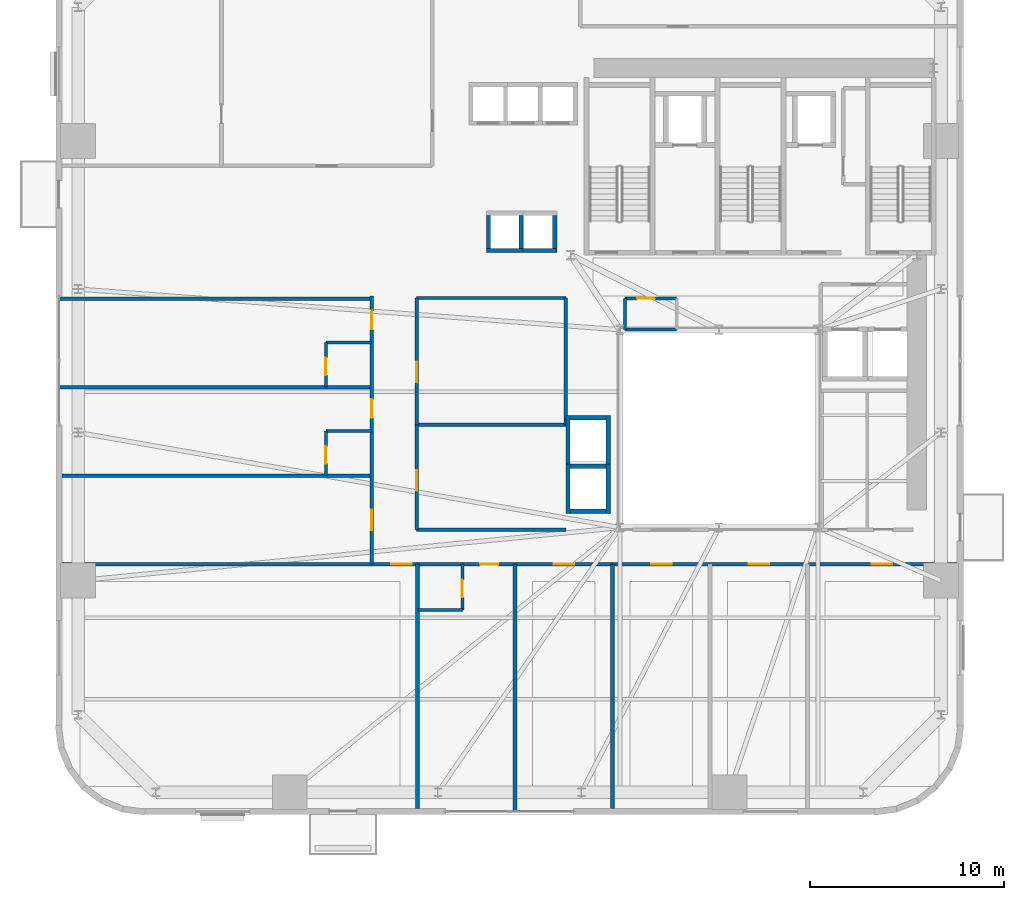
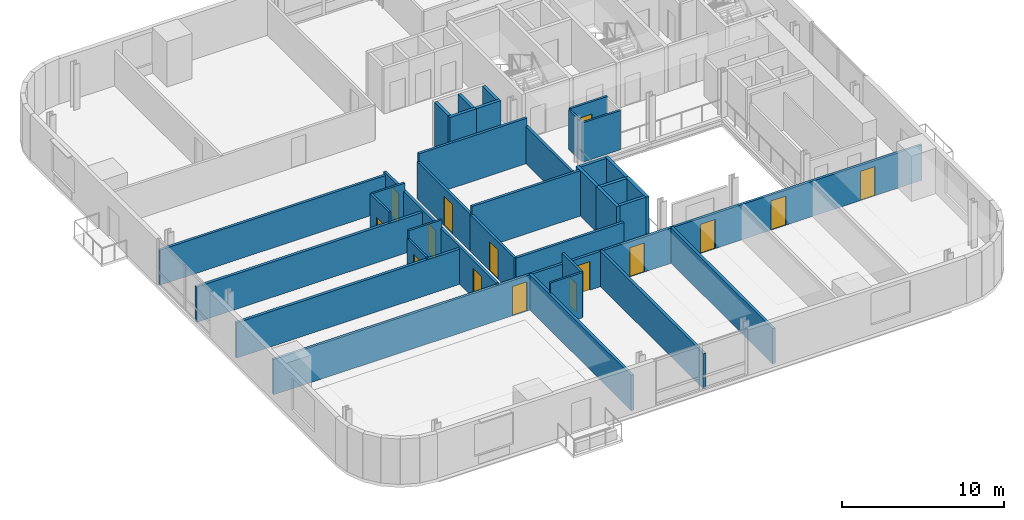
# One storey, part 6 of 11: 35 walls, 15 doors, 15 openings.
"""IFC4 building model written with IfcOpenShell, lengths in metres."""

from ifc_helpers import new_model, si_unit, direction, frame, frame_2d, origin, place, context, subcontext, project, spatial, rectangle, extrude, source, transform, mapped, material, layer, layer_set, type_object, element, fill, save


model = new_model("IFC4")

# Units and contexts
model_context = context("Model", 3, precision=1e-05, world=origin(), true_north=direction((0.0, 1.0)))
body_context = subcontext(model_context, "Body", "Model", "MODEL_VIEW")
ifc_project = project(units=[si_unit("LENGTHUNIT", "METRE"), si_unit("AREAUNIT", "SQUARE_METRE"), si_unit("VOLUMEUNIT", "CUBIC_METRE"), si_unit("PLANEANGLEUNIT", "RADIAN"), si_unit("MASSUNIT", "GRAM", prefix="KILO")], contexts=[model_context])

# Site, building, storey
site_placement = place(None, origin())
site = spatial("IfcSite", under=ifc_project, at=site_placement, CompositionType="ELEMENT")
building_placement = place(site_placement, origin())
building = spatial("IfcBuilding", under=site, at=building_placement, Name="Vardaveli Station Tower", CompositionType="ELEMENT")
storey_placement = place(building_placement, frame((0.0, 0.0, 42.199951171875)))
storey = spatial("IfcBuildingStorey", under=building, at=storey_placement, Name="L10", CompositionType="ELEMENT", Elevation=42.199951171875)

# Walls
ifc_material_1 = material(Name="Concrete C40/50", Category="concrete")
ifc_layer_1 = layer(ifc_material_1, 0.219970703125, Name="Concrete C40/50")
ifc_layer_set_1 = layer_set([ifc_layer_1], Name="Concrete C40/50")
wall_type_1 = type_object("IfcWallType", Name="WAL-FFLOBBY-220", PredefinedType="SOLIDWALL", material=ifc_layer_set_1)
shared_shape_1 = source(origin(), body_context, "Body", "SweptSolid", [
    extrude(rectangle(XDim=1.89013671875, YDim=0.219970703125, at=frame_2d((0.945068359375, 0.0))), origin(), (0.0, 0.0, 1.0), 3.41015625),
])
for number, where, z_axis, x_axis, name in (
    (1, (24.304931640625, 30.889892578125, 0.0), (0.0, 0.0, 1.0), (1.0, 0.0, 0.0), "SHW-SHU-01-L10-S"),
    (2, (26.054931640625, 30.889892578125, 0.0), (0.0, 0.0, 1.0), (1.0, 0.0, 0.0), "SHW-SHU-02-L10-S"),
):
    element("IfcWall", number, at=place(storey_placement, frame(where, z_axis=z_axis, x_axis=x_axis)), inside=storey, type_object=wall_type_1, Name=name, PredefinedType="SOLIDWALL", context=body_context, shape_type="MappedRepresentation", body=[
        mapped(shared_shape_1, transform((0.0, 0.0, 0.0), scale=1.0)),
    ])
shared_shape_2 = source(origin(), body_context, "Body", "SweptSolid", [
    extrude(rectangle(XDim=1.699951171875, YDim=0.219970703125, at=frame_2d((0.85009765625, 0.0))), origin(), (0.0, 0.0, 1.0), 3.41015625),
])
for number, where, z_axis, x_axis, name in (
    (3, (24.4150390625, 31.0, 0.0), (0.0, 0.0, 1.0), (0.0, 1.0, 0.0), "SHW-SHU-01-L10-W"),
    (4, (26.0849609375, 31.0, 0.0), (0.0, 0.0, 1.0), (0.0, 1.0, 0.0), "SHW-SHU-01-L10-E"),
    (5, (27.8349609375, 31.0, 0.0), (0.0, 0.0, 1.0), (0.0, 1.0, 0.0), "SHW-SHU-02-L10-E"),
):
    element("IfcWall", number, at=place(storey_placement, frame(where, z_axis=z_axis, x_axis=x_axis)), inside=storey, type_object=wall_type_1, Name=name, PredefinedType="SOLIDWALL", context=body_context, shape_type="MappedRepresentation", body=[
        mapped(shared_shape_2, transform((0.0, 0.0, 0.0), scale=1.0)),
    ])
shared_shape_3 = source(origin(), body_context, "Body", "SweptSolid", [
    extrude(rectangle(XDim=1.85009765625, YDim=0.219970703125, at=frame_2d((0.925048828125, 0.0))), origin(), (0.0, 0.0, 1.0), 3.41015625),
])
for number, where, z_axis, x_axis, name in (
    (6, (28.625, 17.43994140625, 0.0), (0.0, 0.0, 1.0), (1.0, 0.0, 0.0), "SHW-OBS-01-L10-S"),
    (7, (28.625, 19.760009765625, 0.0), (0.0, 0.0, 1.0), (1.0, 0.0, 0.0), "SHW-OBS-01-L10-N"),
    (8, (28.625, 22.260009765625, 0.0), (0.0, 0.0, 1.0), (1.0, 0.0, 0.0), "SHW-OBS-02-L10-N"),
):
    element("IfcWall", number, at=place(storey_placement, frame(where, z_axis=z_axis, x_axis=x_axis)), inside=storey, type_object=wall_type_1, Name=name, PredefinedType="SOLIDWALL", context=body_context, shape_type="MappedRepresentation", body=[
        mapped(shared_shape_3, transform((0.0, 0.0, 0.0), scale=1.0)),
    ])
shared_shape_4 = source(origin(), body_context, "Body", "SweptSolid", [
    extrude(rectangle(XDim=2.5400390625, YDim=0.219970703125, at=frame_2d((1.27001953125, 0.0))), origin(), (0.0, 0.0, 1.0), 3.41015625),
])
for number, where, z_axis, x_axis, name in (
    (9, (28.514892578125, 17.330078125, 0.0), (0.0, 0.0, 1.0), (0.0, 1.0, 0.0), "SHW-OBS-01-L10-W"),
    (10, (30.5849609375, 17.330078125, 0.0), (0.0, 0.0, 1.0), (0.0, 1.0, 0.0), "SHW-OBS-01-L10-E"),
    (11, (28.514892578125, 19.830078125, 0.0), (0.0, 0.0, 1.0), (0.0, 1.0, 0.0), "SHW-OBS-02-L10-W"),
    (12, (30.5849609375, 19.830078125, 0.0), (0.0, 0.0, 1.0), (0.0, 1.0, 0.0), "SHW-OBS-02-L10-E"),
):
    element("IfcWall", number, at=place(storey_placement, frame(where, z_axis=z_axis, x_axis=x_axis)), inside=storey, type_object=wall_type_1, Name=name, PredefinedType="SOLIDWALL", context=body_context, shape_type="MappedRepresentation", body=[
        mapped(shared_shape_4, transform((0.0, 0.0, 0.0), scale=1.0)),
    ])

# Wall, opening, door
ifc_material_2 = material(Name="Moisture-resistant stud partition")
ifc_layer_2 = layer(ifc_material_2, 0.14990234375, Name="Moisture-resistant stud partition")
ifc_layer_set_2 = layer_set([ifc_layer_2], Name="Moisture-resistant stud partition")
wall_type_2 = type_object("IfcWallType", Name="WAL-WET-150", PredefinedType="PARTITIONING", material=ifc_layer_set_2)
shared_shape_5 = source(origin(), body_context, "Body", "SweptSolid", [
    extrude(rectangle(XDim=2.2900390625, YDim=0.14990234375, at=frame_2d((1.14501953125, 0.0))), origin(), (0.0, 0.0, 1.0), 2.802001953125),
])
wall_1_placement = place(storey_placement, frame((16.030029296875, 19.29296875, 0.0), z_axis=(0.0, 0.0, 1.0), x_axis=(0.0, 1.0, 0.0)))
wall_1 = element("IfcWall", 13, at=wall_1_placement, inside=storey, type_object=wall_type_2, Name="W-L10-BW2-W", PredefinedType="PARTITIONING", context=body_context, shape_type="MappedRepresentation", body=[
    mapped(shared_shape_5, transform((0.0, 0.0, 0.0), scale=1.0)),
])
shared_shape_6 = source(origin(), body_context, "Body", "SweptSolid", [
    extrude(rectangle(XDim=0.89990234375, YDim=2.10009765625, at=frame_2d((0.449951171875, 1.050048828125))), frame((0.0, 0.0849609375, 0.0), z_axis=(0.0, -1.0, 0.0), x_axis=(1.0, 0.0, 0.0)), (0.0, 0.0, 1.0), 0.169921875),
])
opening_1_placement = place(wall_1_placement, frame((0.60009765625, 0.0, 0.0)))
opening_1 = element("IfcOpeningElement", 14, at=opening_1_placement, cuts=wall_1, Name="Opening D-08", PredefinedType="OPENING", context=body_context, shape_type="MappedRepresentation", body=[
    mapped(shared_shape_6, transform((0.0, 0.0, 0.0), scale=1.0)),
])
ifc_material_3 = material(Name="Moisture-resistant oak door")
door_type_1 = type_object("IfcDoorType", Name="DR-BATH-900x2100", OperationType="NOTDEFINED", PredefinedType="DOOR", material=ifc_material_3)
shared_shape_7 = source(origin(), body_context, "Body", "SweptSolid", [
    extrude(rectangle(XDim=0.89990234375, YDim=2.10009765625, at=frame_2d((0.449951171875, 1.050048828125))), frame((0.0, 0.02490234375, 0.0), z_axis=(0.0, -1.0, 0.0), x_axis=(1.0, 0.0, 0.0)), (0.0, 0.0, 1.0), 0.050048828125),
])
door_1_placement = place(opening_1_placement, origin())
door_1 = element("IfcDoor", 15, at=door_1_placement, inside=storey, type_object=door_type_1, Name="D-L10-BW2", OperationType="SINGLE_SWING_RIGHT", OverallHeight=2.10009765625, OverallWidth=0.89990234375, PredefinedType="DOOR", context=body_context, shape_type="MappedRepresentation", body=[
    mapped(shared_shape_7, transform((0.0, 0.0, 0.0), scale=1.0)),
])
fill(opening_1, door_1)

# Wall, openings, doors
ifc_material_4 = material(Name="Fire-rated gypsum stud partition")
ifc_layer_3 = layer(ifc_material_4, 0.179931640625, Name="Fire-rated gypsum stud partition")
ifc_layer_set_3 = layer_set([ifc_layer_3], Name="Fire-rated gypsum stud partition")
wall_type_3 = type_object("IfcWallType", Name="WAL-CORR-180", PredefinedType="PARTITIONING", material=ifc_layer_set_3)
shared_shape_8 = source(origin(), body_context, "Body", "SweptSolid", [
    extrude(rectangle(XDim=46.15576171875, YDim=0.179931640625, at=frame_2d((23.077880859375, 0.0))), origin(), (0.0, 0.0, 1.0), 2.652099609375),
])
wall_2_placement = place(storey_placement, frame((2.422119140625, 14.7099609375, 0.0), z_axis=(0.0, 0.0, 1.0), x_axis=(1.0, 0.0, 0.0)))
wall_2 = element("IfcWall", 16, at=wall_2_placement, inside=storey, type_object=wall_type_3, Name="W-L10-CS", PredefinedType="PARTITIONING", context=body_context, shape_type="MappedRepresentation", body=[
    mapped(shared_shape_8, transform((0.0, 0.0, 0.0), scale=1.0)),
])
shared_shape_9 = source(origin(), body_context, "Body", "SweptSolid", [
    extrude(rectangle(XDim=1.050048828125, YDim=2.199951171875, at=frame_2d((0.52490234375, 1.10009765625))), frame((0.0, 0.10009765625, 0.0), z_axis=(0.0, -1.0, 0.0), x_axis=(1.0, 0.0, 0.0)), (0.0, 0.0, 1.0), 0.199951171875),
])
opening_2_placement = place(wall_2_placement, frame((16.988037109375, 0.0, 0.0)))
opening_2 = element("IfcOpeningElement", 17, at=opening_2_placement, cuts=wall_2, Name="Opening D-05", PredefinedType="OPENING", context=body_context, shape_type="MappedRepresentation", body=[
    mapped(shared_shape_9, transform((0.0, 0.0, 0.0), scale=1.0)),
])
shared_shape_10 = source(origin(), body_context, "Body", "SweptSolid", [
    extrude(rectangle(XDim=0.949951171875, YDim=2.14990234375, at=frame_2d((0.47509765625, 1.074951171875))), frame((0.0, 0.10009765625, 0.0), z_axis=(0.0, -1.0, 0.0), x_axis=(1.0, 0.0, 0.0)), (0.0, 0.0, 1.0), 0.199951171875),
])
opening_3_placement = place(wall_2_placement, frame((21.556396484375, 0.0, 0.0)))
opening_3 = element("IfcOpeningElement", 18, at=opening_3_placement, cuts=wall_2, Name="Opening D-06", PredefinedType="OPENING", context=body_context, shape_type="MappedRepresentation", body=[
    mapped(shared_shape_10, transform((0.0, 0.0, 0.0), scale=1.0)),
])
opening_4_placement = place(wall_2_placement, frame((25.35791015625, 0.0, 0.0)))
opening_4 = element("IfcOpeningElement", 19, at=opening_4_placement, cuts=wall_2, Name="Opening D-05", PredefinedType="OPENING", context=body_context, shape_type="MappedRepresentation", body=[
    mapped(shared_shape_9, transform((0.0, 0.0, 0.0), scale=1.0)),
])
opening_5_placement = place(wall_2_placement, frame((30.384521484375, 0.0, 0.0)))
opening_5 = element("IfcOpeningElement", 20, at=opening_5_placement, cuts=wall_2, Name="Opening D-05", PredefinedType="OPENING", context=body_context, shape_type="MappedRepresentation", body=[
    mapped(shared_shape_9, transform((0.0, 0.0, 0.0), scale=1.0)),
])
opening_6_placement = place(wall_2_placement, frame((35.411376953125, 0.0, 0.0)))
opening_6 = element("IfcOpeningElement", 21, at=opening_6_placement, cuts=wall_2, Name="Opening D-05", PredefinedType="OPENING", context=body_context, shape_type="MappedRepresentation", body=[
    mapped(shared_shape_9, transform((0.0, 0.0, 0.0), scale=1.0)),
])
opening_7_placement = place(wall_2_placement, frame((41.766357421875, 0.0, 0.0)))
opening_7 = element("IfcOpeningElement", 22, at=opening_7_placement, cuts=wall_2, Name="Opening D-05", PredefinedType="OPENING", context=body_context, shape_type="MappedRepresentation", body=[
    mapped(shared_shape_9, transform((0.0, 0.0, 0.0), scale=1.0)),
])
ifc_material_5 = material(Name="Walnut veneer acoustic fire door")
door_type_2 = type_object("IfcDoorType", Name="DR-SUITE-1050x2200", OperationType="NOTDEFINED", PredefinedType="DOOR", material=ifc_material_5)
shared_shape_11 = source(origin(), body_context, "Body", "SweptSolid", [
    extrude(rectangle(XDim=1.050048828125, YDim=2.199951171875, at=frame_2d((0.52490234375, 1.10009765625))), frame((0.0, 0.02490234375, 0.0), z_axis=(0.0, -1.0, 0.0), x_axis=(1.0, 0.0, 0.0)), (0.0, 0.0, 1.0), 0.050048828125),
])
door_2_placement = place(opening_2_placement, origin())
door_2 = element("IfcDoor", 23, at=door_2_placement, inside=storey, type_object=door_type_2, Name="D-L10-SA1", OperationType="SINGLE_SWING_LEFT", OverallHeight=2.199951171875, OverallWidth=1.050048828125, PredefinedType="DOOR", context=body_context, shape_type="MappedRepresentation", body=[
    mapped(shared_shape_11, transform((0.0, 0.0, 0.0), scale=1.0)),
])
fill(opening_2, door_2)
door_3_placement = place(opening_4_placement, origin())
door_3 = element("IfcDoor", 24, at=door_3_placement, inside=storey, type_object=door_type_2, Name="D-L10-SA3", OperationType="SINGLE_SWING_LEFT", OverallHeight=2.199951171875, OverallWidth=1.050048828125, PredefinedType="DOOR", context=body_context, shape_type="MappedRepresentation", body=[
    mapped(shared_shape_11, transform((0.0, 0.0, 0.0), scale=1.0)),
])
fill(opening_4, door_3)
door_4_placement = place(opening_5_placement, origin())
door_4 = element("IfcDoor", 25, at=door_4_placement, inside=storey, type_object=door_type_2, Name="D-L10-SA4", OperationType="SINGLE_SWING_RIGHT", OverallHeight=2.199951171875, OverallWidth=1.050048828125, PredefinedType="DOOR", context=body_context, shape_type="MappedRepresentation", body=[
    mapped(shared_shape_11, transform((0.0, 0.0, 0.0), scale=1.0)),
])
fill(opening_5, door_4)
door_5_placement = place(opening_6_placement, origin())
door_5 = element("IfcDoor", 26, at=door_5_placement, inside=storey, type_object=door_type_2, Name="D-L10-SA5", OperationType="SINGLE_SWING_LEFT", OverallHeight=2.199951171875, OverallWidth=1.050048828125, PredefinedType="DOOR", context=body_context, shape_type="MappedRepresentation", body=[
    mapped(shared_shape_11, transform((0.0, 0.0, 0.0), scale=1.0)),
])
fill(opening_6, door_5)
door_6_placement = place(opening_7_placement, origin())
door_6 = element("IfcDoor", 27, at=door_6_placement, inside=storey, type_object=door_type_2, Name="D-L10-SA6", OperationType="SINGLE_SWING_RIGHT", OverallHeight=2.199951171875, OverallWidth=1.050048828125, PredefinedType="DOOR", context=body_context, shape_type="MappedRepresentation", body=[
    mapped(shared_shape_11, transform((0.0, 0.0, 0.0), scale=1.0)),
])
fill(opening_7, door_6)
ifc_material_6 = material(Name="Oak veneer acoustic fire door")
door_type_3 = type_object("IfcDoorType", Name="DR-GUEST-950x2150", OperationType="NOTDEFINED", PredefinedType="DOOR", material=ifc_material_6)
shared_shape_12 = source(origin(), body_context, "Body", "SweptSolid", [
    extrude(rectangle(XDim=0.949951171875, YDim=2.14990234375, at=frame_2d((0.47509765625, 1.074951171875))), frame((0.0, 0.02490234375, 0.0), z_axis=(0.0, -1.0, 0.0), x_axis=(1.0, 0.0, 0.0)), (0.0, 0.0, 1.0), 0.050048828125),
])
door_7_placement = place(opening_3_placement, origin())
door_7 = element("IfcDoor", 28, at=door_7_placement, inside=storey, type_object=door_type_3, Name="D-L10-GS2", OperationType="SINGLE_SWING_RIGHT", OverallHeight=2.14990234375, OverallWidth=0.949951171875, PredefinedType="DOOR", context=body_context, shape_type="MappedRepresentation", body=[
    mapped(shared_shape_12, transform((0.0, 0.0, 0.0), scale=1.0)),
])
fill(opening_3, door_7)

# Wall, opening, door
shared_shape_13 = source(origin(), body_context, "Body", "SweptSolid", [
    extrude(rectangle(XDim=6.5400390625, YDim=0.179931640625, at=frame_2d((3.27001953125, 0.0))), origin(), (0.0, 0.0, 1.0), 2.802001953125),
])
wall_3_placement = place(storey_placement, frame((20.7099609375, 21.89990234375, 0.0), z_axis=(0.0, 0.0, 1.0), x_axis=(0.0, 1.0, 0.0)))
wall_3 = element("IfcWall", 29, at=wall_3_placement, inside=storey, type_object=wall_type_3, Name="W-L10-ATW2-W", PredefinedType="PARTITIONING", context=body_context, shape_type="MappedRepresentation", body=[
    mapped(shared_shape_13, transform((0.0, 0.0, 0.0), scale=1.0)),
])
opening_8_placement = place(wall_3_placement, frame((2.199951171875, 0.0, 0.0)))
opening_8 = element("IfcOpeningElement", 30, at=opening_8_placement, cuts=wall_3, Name="Opening D-05", PredefinedType="OPENING", context=body_context, shape_type="MappedRepresentation", body=[
    mapped(shared_shape_9, transform((0.0, 0.0, 0.0), scale=1.0)),
])
door_8_placement = place(opening_8_placement, origin())
door_8 = element("IfcDoor", 31, at=door_8_placement, inside=storey, type_object=door_type_2, Name="D-L10-ATW2", OperationType="SINGLE_SWING_RIGHT", OverallHeight=2.199951171875, OverallWidth=1.050048828125, PredefinedType="DOOR", context=body_context, shape_type="MappedRepresentation", body=[
    mapped(shared_shape_11, transform((0.0, 0.0, 0.0), scale=1.0)),
])
fill(opening_8, door_8)

# Wall
wall_4_placement = place(storey_placement, frame((28.39990234375, 21.89990234375, 0.0), z_axis=(0.0, 0.0, 1.0), x_axis=(0.0, 1.0, 0.0)))
element("IfcWall", 32, at=wall_4_placement, inside=storey, type_object=wall_type_3, Name="W-L10-ATW2-E", PredefinedType="PARTITIONING", context=body_context, shape_type="MappedRepresentation", body=[
    mapped(shared_shape_13, transform((0.0, 0.0, 0.0), scale=1.0)),
])

# Wall, opening, door
shared_shape_14 = source(origin(), body_context, "Body", "SweptSolid", [
    extrude(rectangle(XDim=5.39990234375, YDim=0.179931640625, at=frame_2d((2.699951171875, 0.0))), origin(), (0.0, 0.0, 1.0), 2.802001953125),
])
wall_5_placement = place(storey_placement, frame((20.7099609375, 16.5, 0.0), z_axis=(0.0, 0.0, 1.0), x_axis=(0.0, 1.0, 0.0)))
wall_5 = element("IfcWall", 33, at=wall_5_placement, inside=storey, type_object=wall_type_3, Name="W-L10-ATW1-W", PredefinedType="PARTITIONING", context=body_context, shape_type="MappedRepresentation", body=[
    mapped(shared_shape_14, transform((0.0, 0.0, 0.0), scale=1.0)),
])
opening_9_placement = place(wall_5_placement, frame((2.0, 0.0, 0.0)))
opening_9 = element("IfcOpeningElement", 34, at=opening_9_placement, cuts=wall_5, Name="Opening D-05", PredefinedType="OPENING", context=body_context, shape_type="MappedRepresentation", body=[
    mapped(shared_shape_9, transform((0.0, 0.0, 0.0), scale=1.0)),
])
door_9_placement = place(opening_9_placement, origin())
door_9 = element("IfcDoor", 35, at=door_9_placement, inside=storey, type_object=door_type_2, Name="D-L10-ATW1", OperationType="SINGLE_SWING_LEFT", OverallHeight=2.199951171875, OverallWidth=1.050048828125, PredefinedType="DOOR", context=body_context, shape_type="MappedRepresentation", body=[
    mapped(shared_shape_11, transform((0.0, 0.0, 0.0), scale=1.0)),
])
fill(opening_9, door_9)

shared_shape_15 = source(origin(), body_context, "Body", "SweptSolid", [
    extrude(rectangle(XDim=2.670166015625, YDim=0.14990234375, at=frame_2d((1.3349609375, 0.0))), origin(), (0.0, 0.0, 1.0), 3.0419921875),
])
wall_6_placement = place(storey_placement, frame((31.449951171875, 28.419921875, 0.0), z_axis=(0.0, 0.0, 1.0), x_axis=(1.0, 0.0, 0.0)))
wall_6 = element("IfcWall", 36, at=wall_6_placement, inside=storey, type_object=wall_type_2, Name="W-L10-WCA1-N", PredefinedType="PARTITIONING", context=body_context, shape_type="MappedRepresentation", body=[
    mapped(shared_shape_15, transform((0.0, 0.0, 0.0), scale=1.0)),
])
shared_shape_16 = source(origin(), body_context, "Body", "SweptSolid", [
    extrude(rectangle(XDim=0.919921875, YDim=2.10009765625, at=frame_2d((0.4599609375, 1.050048828125))), frame((0.0, 0.0849609375, 0.0), z_axis=(0.0, -1.0, 0.0), x_axis=(1.0, 0.0, 0.0)), (0.0, 0.0, 1.0), 0.169921875),
])
opening_10_placement = place(wall_6_placement, frame((0.6298828125, 0.0, 0.0)))
opening_10 = element("IfcOpeningElement", 37, at=opening_10_placement, cuts=wall_6, Name="Opening D-07", PredefinedType="OPENING", context=body_context, shape_type="MappedRepresentation", body=[
    mapped(shared_shape_16, transform((0.0, 0.0, 0.0), scale=1.0)),
])
ifc_material_7 = material(Name="Moisture-resistant hardwood door", Category="wood")
door_type_4 = type_object("IfcDoorType", Name="DR-WC-920x2100", OperationType="NOTDEFINED", PredefinedType="DOOR", material=ifc_material_7)
shared_shape_17 = source(origin(), body_context, "Body", "SweptSolid", [
    extrude(rectangle(XDim=0.919921875, YDim=2.10009765625, at=frame_2d((0.4599609375, 1.050048828125))), frame((0.0, 0.02490234375, 0.0), z_axis=(0.0, -1.0, 0.0), x_axis=(1.0, 0.0, 0.0)), (0.0, 0.0, 1.0), 0.050048828125),
])
door_10_placement = place(opening_10_placement, origin())
door_10 = element("IfcDoor", 38, at=door_10_placement, inside=storey, type_object=door_type_4, Name="D-L10-WCA", OperationType="SINGLE_SWING_RIGHT", OverallHeight=2.10009765625, OverallWidth=0.919921875, PredefinedType="DOOR", context=body_context, shape_type="MappedRepresentation", body=[
    mapped(shared_shape_17, transform((0.0, 0.0, 0.0), scale=1.0)),
])
fill(opening_10, door_10)

# Wall, openings, doors
shared_shape_18 = source(origin(), body_context, "Body", "SweptSolid", [
    extrude(rectangle(XDim=13.840087890625, YDim=0.179931640625, at=frame_2d((6.919921875, 0.0))), origin(), (0.0, 0.0, 1.0), 2.802001953125),
])
wall_7_placement = place(storey_placement, frame((18.389892578125, 14.7099609375, 0.0), z_axis=(0.0, 0.0, 1.0), x_axis=(0.0, 1.0, 0.0)))
wall_7 = element("IfcWall", 39, at=wall_7_placement, inside=storey, type_object=wall_type_3, Name="W-L10-CW", PredefinedType="PARTITIONING", context=body_context, shape_type="MappedRepresentation", body=[
    mapped(shared_shape_18, transform((0.0, 0.0, 0.0), scale=1.0)),
])
opening_11_placement = place(wall_7_placement, frame((1.76171875, 0.0, 0.0)))
opening_11 = element("IfcOpeningElement", 40, at=opening_11_placement, cuts=wall_7, Name="Opening D-05", PredefinedType="OPENING", context=body_context, shape_type="MappedRepresentation", body=[
    mapped(shared_shape_9, transform((0.0, 0.0, 0.0), scale=1.0)),
])
opening_12_placement = place(wall_7_placement, frame((7.550048828125, 0.0, 0.0)))
opening_12 = element("IfcOpeningElement", 41, at=opening_12_placement, cuts=wall_7, Name="Opening D-06", PredefinedType="OPENING", context=body_context, shape_type="MappedRepresentation", body=[
    mapped(shared_shape_10, transform((0.0, 0.0, 0.0), scale=1.0)),
])
opening_13_placement = place(wall_7_placement, frame((12.11328125, 0.0, 0.0)))
opening_13 = element("IfcOpeningElement", 42, at=opening_13_placement, cuts=wall_7, Name="Opening D-06", PredefinedType="OPENING", context=body_context, shape_type="MappedRepresentation", body=[
    mapped(shared_shape_10, transform((0.0, 0.0, 0.0), scale=1.0)),
])
door_11_placement = place(opening_11_placement, origin())
door_11 = element("IfcDoor", 43, at=door_11_placement, inside=storey, type_object=door_type_2, Name="D-L10-GW1", OperationType="SINGLE_SWING_LEFT", OverallHeight=2.199951171875, OverallWidth=1.050048828125, PredefinedType="DOOR", context=body_context, shape_type="MappedRepresentation", body=[
    mapped(shared_shape_11, transform((0.0, 0.0, 0.0), scale=1.0)),
])
fill(opening_11, door_11)
door_12_placement = place(opening_12_placement, origin())
door_12 = element("IfcDoor", 44, at=door_12_placement, inside=storey, type_object=door_type_3, Name="D-L10-GW2", OperationType="SINGLE_SWING_RIGHT", OverallHeight=2.14990234375, OverallWidth=0.949951171875, PredefinedType="DOOR", context=body_context, shape_type="MappedRepresentation", body=[
    mapped(shared_shape_12, transform((0.0, 0.0, 0.0), scale=1.0)),
])
fill(opening_12, door_12)
door_13_placement = place(opening_13_placement, origin())
door_13 = element("IfcDoor", 45, at=door_13_placement, inside=storey, type_object=door_type_3, Name="D-L10-GW3", OperationType="SINGLE_SWING_LEFT", OverallHeight=2.14990234375, OverallWidth=0.949951171875, PredefinedType="DOOR", context=body_context, shape_type="MappedRepresentation", body=[
    mapped(shared_shape_12, transform((0.0, 0.0, 0.0), scale=1.0)),
])
fill(opening_13, door_13)

# Wall
shared_shape_19 = source(origin(), body_context, "Body", "SweptSolid", [
    extrude(rectangle(XDim=7.68994140625, YDim=0.179931640625, at=frame_2d((3.844970703125, 0.0))), origin(), (0.0, 0.0, 1.0), 2.802001953125),
])
wall_8_placement = place(storey_placement, frame((20.7099609375, 16.5, 0.0), z_axis=(0.0, 0.0, 1.0), x_axis=(1.0, 0.0, 0.0)))
element("IfcWall", 46, at=wall_8_placement, inside=storey, type_object=wall_type_3, Name="W-L10-ATW1-S", PredefinedType="PARTITIONING", context=body_context, shape_type="MappedRepresentation", body=[
    mapped(shared_shape_19, transform((0.0, 0.0, 0.0), scale=1.0)),
])

# Wall, opening, door
shared_shape_20 = source(origin(), body_context, "Body", "SweptSolid", [
    extrude(rectangle(XDim=2.35986328125, YDim=0.14990234375, at=frame_2d((1.179931640625, 0.0))), origin(), (0.0, 0.0, 1.0), 3.41015625),
])
wall_9_placement = place(storey_placement, frame((23.070068359375, 12.35009765625, 0.0), z_axis=(0.0, 0.0, 1.0), x_axis=(0.0, 1.0, 0.0)))
wall_9 = element("IfcWall", 47, at=wall_9_placement, inside=storey, type_object=wall_type_2, Name="W-L10-BS2-E", PredefinedType="PARTITIONING", context=body_context, shape_type="MappedRepresentation", body=[
    mapped(shared_shape_20, transform((0.0, 0.0, 0.0), scale=1.0)),
])
opening_14_placement = place(wall_9_placement, frame((0.64990234375, 0.0, 0.0)))
opening_14 = element("IfcOpeningElement", 48, at=opening_14_placement, cuts=wall_9, Name="Opening D-08", PredefinedType="OPENING", context=body_context, shape_type="MappedRepresentation", body=[
    mapped(shared_shape_6, transform((0.0, 0.0, 0.0), scale=1.0)),
])
door_14_placement = place(opening_14_placement, origin())
door_14 = element("IfcDoor", 49, at=door_14_placement, inside=storey, type_object=door_type_1, Name="D-L10-BS2", OperationType="SINGLE_SWING_LEFT", OverallHeight=2.10009765625, OverallWidth=0.89990234375, PredefinedType="DOOR", context=body_context, shape_type="MappedRepresentation", body=[
    mapped(shared_shape_7, transform((0.0, 0.0, 0.0), scale=1.0)),
])
fill(opening_14, door_14)

# Walls
for number, where, z_axis, x_axis, name in (
    (50, (16.030029296875, 21.5830078125, 0.0), (0.0, 0.0, 1.0), (1.0, 0.0, 0.0), "W-L10-BW2-N"),
    (51, (16.030029296875, 26.14697265625, 0.0), (0.0, 0.0, 1.0), (1.0, 0.0, 0.0), "W-L10-BW3-N"),
):
    element("IfcWall", number, at=place(storey_placement, frame(where, z_axis=z_axis, x_axis=x_axis)), inside=storey, type_object=wall_type_2, Name=name, PredefinedType="PARTITIONING", context=body_context, shape_type="MappedRepresentation", body=[
        mapped(shared_shape_20, transform((0.0, 0.0, 0.0), scale=1.0)),
    ])

# Wall, opening, door
shared_shape_21 = source(origin(), body_context, "Body", "SweptSolid", [
    extrude(rectangle(XDim=2.2900390625, YDim=0.14990234375, at=frame_2d((1.14501953125, 0.0))), origin(), (0.0, 0.0, 1.0), 3.41015625),
])
wall_10_placement = place(storey_placement, frame((16.030029296875, 23.85693359375, 0.0), z_axis=(0.0, 0.0, 1.0), x_axis=(0.0, 1.0, 0.0)))
wall_10 = element("IfcWall", 52, at=wall_10_placement, inside=storey, type_object=wall_type_2, Name="W-L10-BW3-W", PredefinedType="PARTITIONING", context=body_context, shape_type="MappedRepresentation", body=[
    mapped(shared_shape_21, transform((0.0, 0.0, 0.0), scale=1.0)),
])
opening_15_placement = place(wall_10_placement, frame((0.60009765625, 0.0, 0.0)))
opening_15 = element("IfcOpeningElement", 53, at=opening_15_placement, cuts=wall_10, Name="Opening D-08", PredefinedType="OPENING", context=body_context, shape_type="MappedRepresentation", body=[
    mapped(shared_shape_6, transform((0.0, 0.0, 0.0), scale=1.0)),
])
door_15_placement = place(opening_15_placement, origin())
door_15 = element("IfcDoor", 54, at=door_15_placement, inside=storey, type_object=door_type_1, Name="D-L10-BW3", OperationType="SINGLE_SWING_LEFT", OverallHeight=2.10009765625, OverallWidth=0.89990234375, PredefinedType="DOOR", context=body_context, shape_type="MappedRepresentation", body=[
    mapped(shared_shape_7, transform((0.0, 0.0, 0.0), scale=1.0)),
])
fill(opening_15, door_15)

# Walls
wall_11_placement = place(storey_placement, frame((20.780029296875, 12.35009765625, 0.0), z_axis=(0.0, 0.0, 1.0), x_axis=(1.0, 0.0, 0.0)))
element("IfcWall", 55, at=wall_11_placement, inside=storey, type_object=wall_type_2, Name="W-L10-BS2-S", PredefinedType="PARTITIONING", context=body_context, shape_type="MappedRepresentation", body=[
    mapped(shared_shape_21, transform((0.0, 0.0, 0.0), scale=1.0)),
])
ifc_material_8 = material(Name="Acoustic twin-stud gypsum partition")
ifc_layer_4 = layer(ifc_material_8, 0.199951171875, Name="Acoustic twin-stud gypsum partition")
ifc_layer_set_4 = layer_set([ifc_layer_4], Name="Acoustic twin-stud gypsum partition")
wall_type_4 = type_object("IfcWallType", Name="WAL-PARTY-200", PredefinedType="PARTITIONING", material=ifc_layer_set_4)
shared_shape_22 = source(origin(), body_context, "Body", "SweptSolid", [
    extrude(rectangle(XDim=16.06787109375, YDim=0.199951171875, at=frame_2d((8.033935546875, 0.0))), origin(), (0.0, 0.0, 1.0), 2.652099609375),
])
wall_12_placement = place(storey_placement, frame((2.422119140625, 19.27294921875, 0.0), z_axis=(0.0, 0.0, 1.0), x_axis=(1.0, 0.0, 0.0)))
element("IfcWall", 56, at=wall_12_placement, inside=storey, type_object=wall_type_4, Name="W-L10-PW1", PredefinedType="PARTITIONING", context=body_context, shape_type="MappedRepresentation", body=[
    mapped(shared_shape_22, transform((0.0, 0.0, 0.0), scale=1.0)),
])
shared_shape_23 = source(origin(), body_context, "Body", "SweptSolid", [
    extrude(rectangle(XDim=16.260009765625, YDim=0.199951171875, at=frame_2d((8.1298828125, 0.0))), origin(), (0.0, 0.0, 1.0), 2.652099609375),
])
wall_13_placement = place(storey_placement, frame((2.22998046875, 23.8369140625, 0.0), z_axis=(0.0, 0.0, 1.0), x_axis=(1.0, 0.0, 0.0)))
element("IfcWall", 57, at=wall_13_placement, inside=storey, type_object=wall_type_4, Name="W-L10-PW2", PredefinedType="PARTITIONING", context=body_context, shape_type="MappedRepresentation", body=[
    mapped(shared_shape_23, transform((0.0, 0.0, 0.0), scale=1.0)),
])
shared_shape_24 = source(origin(), body_context, "Body", "SweptSolid", [
    extrude(rectangle(XDim=16.159912109375, YDim=0.179931640625, at=frame_2d((8.080078125, 0.0))), origin(), (0.0, 0.0, 1.0), 2.652099609375),
])
wall_14_placement = place(storey_placement, frame((2.22998046875, 28.39990234375, 0.0), z_axis=(0.0, 0.0, 1.0), x_axis=(1.0, 0.0, 0.0)))
element("IfcWall", 58, at=wall_14_placement, inside=storey, type_object=wall_type_3, Name="W-L10-CWN", PredefinedType="PARTITIONING", context=body_context, shape_type="MappedRepresentation", body=[
    mapped(shared_shape_24, transform((0.0, 0.0, 0.0), scale=1.0)),
])
shared_shape_25 = source(origin(), body_context, "Body", "SweptSolid", [
    extrude(rectangle(XDim=12.587890625, YDim=0.199951171875, at=frame_2d((6.2939453125, 0.0))), origin(), (0.0, 0.0, 1.0), 2.652099609375),
])
for number, where, z_axis, x_axis, name in (
    (59, (20.760009765625, 2.1220703125, 0.0), (0.0, 0.0, 1.0), (0.0, 1.0, 0.0), "W-L10-PS1"),
    (60, (30.81298828125, 2.1220703125, 0.0), (0.0, 0.0, 1.0), (0.0, 1.0, 0.0), "W-L10-PS3"),
):
    element("IfcWall", number, at=place(storey_placement, frame(where, z_axis=z_axis, x_axis=x_axis)), inside=storey, type_object=wall_type_4, Name=name, PredefinedType="PARTITIONING", context=body_context, shape_type="MappedRepresentation", body=[
        mapped(shared_shape_25, transform((0.0, 0.0, 0.0), scale=1.0)),
    ])
shared_shape_26 = source(origin(), body_context, "Body", "SweptSolid", [
    extrude(rectangle(XDim=12.780029296875, YDim=0.199951171875, at=frame_2d((6.39013671875, 0.0))), origin(), (0.0, 0.0, 1.0), 2.652099609375),
])
wall_15_placement = place(storey_placement, frame((25.787109375, 1.929931640625, 0.0), z_axis=(0.0, 0.0, 1.0), x_axis=(0.0, 1.0, 0.0)))
element("IfcWall", 61, at=wall_15_placement, inside=storey, type_object=wall_type_4, Name="W-L10-PS2", PredefinedType="PARTITIONING", context=body_context, shape_type="MappedRepresentation", body=[
    mapped(shared_shape_26, transform((0.0, 0.0, 0.0), scale=1.0)),
])
shared_shape_27 = source(origin(), body_context, "Body", "SweptSolid", [
    extrude(rectangle(XDim=7.68994140625, YDim=0.179931640625, at=frame_2d((3.844970703125, 0.0))), origin(), (0.0, 0.0, 1.0), 3.41015625),
])
for number, where, z_axis, x_axis, name in (
    (62, (20.7099609375, 21.89990234375, 0.0), (0.0, 0.0, 1.0), (1.0, 0.0, 0.0), "W-L10-ATW1-N"),
    (63, (20.7099609375, 28.43994140625, 0.0), (0.0, 0.0, 1.0), (1.0, 0.0, 0.0), "W-L10-ATW2-N"),
):
    element("IfcWall", number, at=place(storey_placement, frame(where, z_axis=z_axis, x_axis=x_axis)), inside=storey, type_object=wall_type_3, Name=name, PredefinedType="PARTITIONING", context=body_context, shape_type="MappedRepresentation", body=[
        mapped(shared_shape_27, transform((0.0, 0.0, 0.0), scale=1.0)),
    ])
shared_shape_28 = source(origin(), body_context, "Body", "SweptSolid", [
    extrude(rectangle(XDim=2.670166015625, YDim=0.14990234375, at=frame_2d((1.3349609375, 0.0))), origin(), (0.0, 0.0, 1.0), 2.9521484375),
])
wall_16_placement = place(storey_placement, frame((31.449951171875, 26.820068359375, 0.0), z_axis=(0.0, 0.0, 1.0), x_axis=(1.0, 0.0, 0.0)))
element("IfcWall", 64, at=wall_16_placement, inside=storey, type_object=wall_type_2, Name="W-L10-WCA1-S", PredefinedType="PARTITIONING", context=body_context, shape_type="MappedRepresentation", body=[
    mapped(shared_shape_28, transform((0.0, 0.0, 0.0), scale=1.0)),
])
shared_shape_29 = source(origin(), body_context, "Body", "SweptSolid", [
    extrude(rectangle(XDim=1.599853515625, YDim=0.14990234375, at=frame_2d((0.7998046875, 0.0))), origin(), (0.0, 0.0, 1.0), 2.9521484375),
])
wall_17_placement = place(storey_placement, frame((31.449951171875, 26.820068359375, 0.0), z_axis=(0.0, 0.0, 1.0), x_axis=(0.0, 1.0, 0.0)))
element("IfcWall", 65, at=wall_17_placement, inside=storey, type_object=wall_type_2, Name="W-L10-WCA1-W", PredefinedType="PARTITIONING", context=body_context, shape_type="MappedRepresentation", body=[
    mapped(shared_shape_29, transform((0.0, 0.0, 0.0), scale=1.0)),
])

save(model, "model.ifc")
